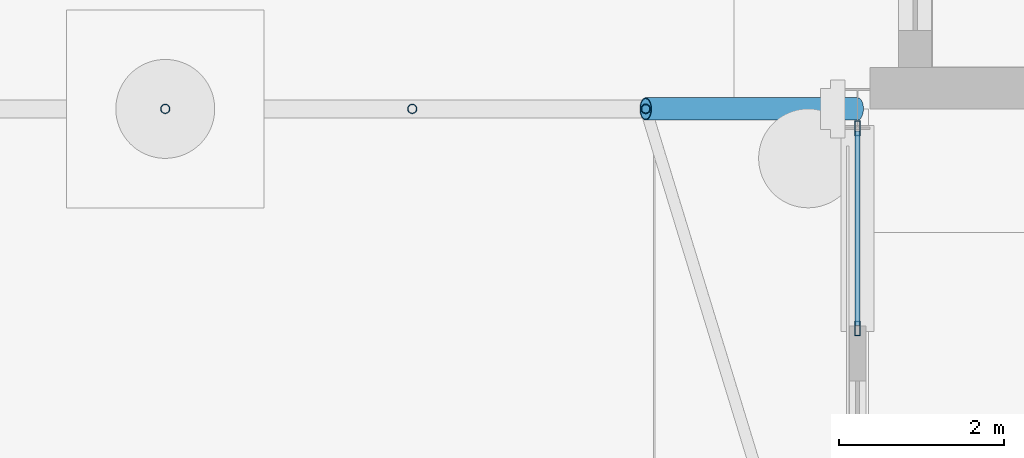
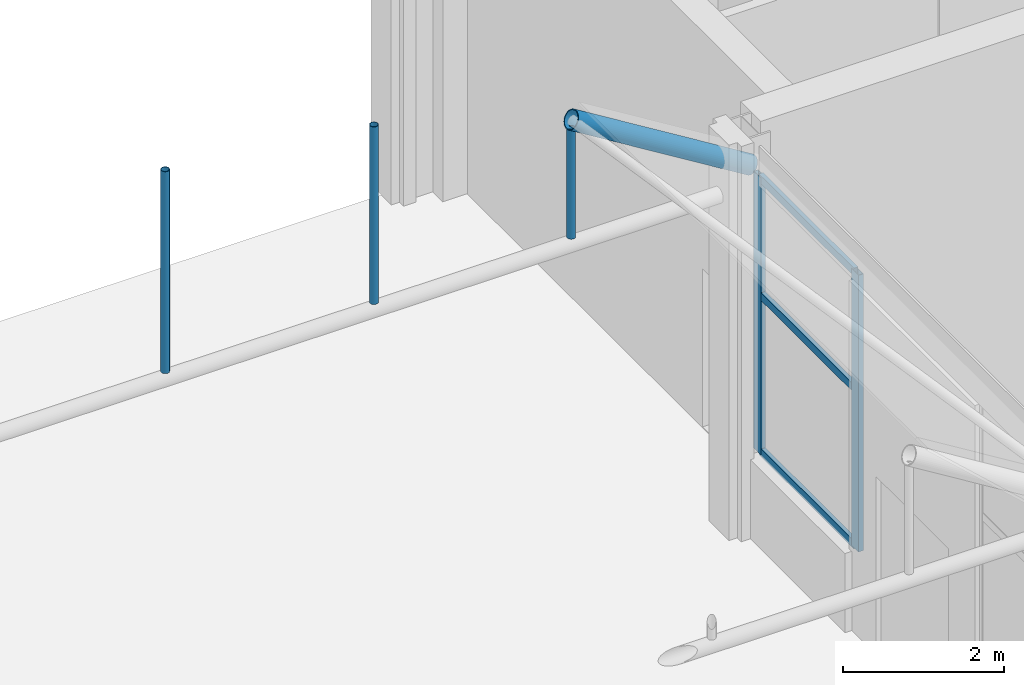
# One storey, part 162 of 212: 9 members, 1 element without a shape of its own.
"""IFC4 building model written with IfcOpenShell, lengths in metres."""

from ifc_helpers import new_model, si_unit, direction, frame, origin, origin_2d, place, context, subcontext, project, spatial, hollow_rectangle, hollow_circle, extrude, material, material_profile, profile_set, type_object, element, aggregate, save


model = new_model("IFC4")

# Units and contexts
model_context = context("Model", 3, precision=1e-05, world=origin(), true_north=direction((0.0, 1.0)))
body_context = subcontext(model_context, "Body", "Model", "MODEL_VIEW")
ifc_project = project(units=[si_unit("LENGTHUNIT", "METRE"), si_unit("AREAUNIT", "SQUARE_METRE"), si_unit("VOLUMEUNIT", "CUBIC_METRE"), si_unit("PLANEANGLEUNIT", "RADIAN"), si_unit("MASSUNIT", "GRAM", prefix="KILO")], contexts=[model_context])

# Site, building, storey
site_placement = place(None, origin())
site = spatial("IfcSite", under=ifc_project, at=site_placement, CompositionType="ELEMENT")
building_placement = place(site_placement, origin())
building = spatial("IfcBuilding", under=site, at=building_placement, Name="Catenary Quay Ferry Terminal", CompositionType="ELEMENT")
storey_placement = place(building_placement, origin())
storey = spatial("IfcBuildingStorey", under=building, at=storey_placement, Name="L00", CompositionType="ELEMENT", Elevation=0.0)

# Members
ifc_material_1 = material(Name="Steel S355", Category="steel")
ifc_material_profile_1 = material_profile(ifc_material_1, hollow_circle(Radius=0.05712890625, WallThickness=0.00634765625, at=origin_2d()), Name="CHS 114.3x6.3")
ifc_profile_set_1 = profile_set([ifc_material_profile_1], Name="Steel S355")
member_type_1 = type_object("IfcMemberType", Name="HG1 CHS 114.3x6.3", PredefinedType="POST", material=ifc_profile_set_1)
member_1_placement = place(storey_placement, frame((16.800048828125, 201.60009765625, 5.205078125), z_axis=(0.0, 0.0, 1.0), x_axis=(1.0, 0.0, 0.0)))
element("IfcMember", 1, at=member_1_placement, inside=storey, type_object=member_type_1, Name="Hanger FC-17-03", PredefinedType="POST", context=body_context, shape_type="SweptSolid", body=[
    extrude(hollow_circle(Radius=0.05712890625, WallThickness=0.00634765625, at=origin_2d()), origin(), (0.0, 0.0, 1.0), 3.06494140625),
])
member_2_placement = place(storey_placement, frame((19.797119140625, 201.60009765625, 5.205078125), z_axis=(0.0, 0.0, 1.0), x_axis=(1.0, 0.0, 0.0)))
element("IfcMember", 2, at=member_2_placement, inside=storey, type_object=member_type_1, Name="Hanger FC-17-04", PredefinedType="POST", context=body_context, shape_type="SweptSolid", body=[
    extrude(hollow_circle(Radius=0.05712890625, WallThickness=0.00634765625, at=origin_2d()), origin(), (0.0, 0.0, 1.0), 2.69580078125),
])
member_3_placement = place(storey_placement, frame((22.62890625, 201.60009765625, 5.205078125), z_axis=(0.0, 0.0, 1.0), x_axis=(1.0, 0.0, 0.0)))
element("IfcMember", 3, at=member_3_placement, inside=storey, type_object=member_type_1, Name="Hanger FC-17-05", PredefinedType="POST", context=body_context, shape_type="SweptSolid", body=[
    extrude(hollow_circle(Radius=0.05712890625, WallThickness=0.00634765625, at=origin_2d()), origin(), (0.0, 0.0, 1.0), 1.64892578125),
])

# Curtain wall, members
ifc_material_2 = material(Name="Aluminium and glass", Category="aluminium")
curtain_wall_type = type_object("IfcCurtainWallType", Name="CWW1", PredefinedType="NOTDEFINED", material=ifc_material_2)
curtain_wall_placement = place(storey_placement, origin())
curtain_wall = element("IfcCurtainWall", 4, at=curtain_wall_placement, inside=storey, type_object=curtain_wall_type, Name="Wing curtain wall CW112", PredefinedType="NOTDEFINED")
ifc_material_3 = material(Name="Aluminium", Category="aluminium")
ifc_material_profile_2 = material_profile(ifc_material_3, hollow_rectangle(XDim=0.070068359375, YDim=0.179931640625, WallThickness=0.006103515625, at=origin_2d()), Name="MU3")
ifc_profile_set_2 = profile_set([ifc_material_profile_2], Name="Aluminium")
member_type_2 = type_object("IfcMemberType", Name="MU3", PredefinedType="MULLION", material=ifc_profile_set_2)
member_4_placement = place(storey_placement, frame((25.199951171875, 198.93505859375, 1.199951171875), z_axis=(0.0, 0.0, 1.0), x_axis=(-1.0, 0.0, 0.0)))
member_4 = element("IfcMember", 5, at=member_4_placement, type_object=member_type_2, Name="CW112 mullion 1", PredefinedType="MULLION", context=body_context, shape_type="SweptSolid", body=[
    extrude(hollow_rectangle(XDim=0.070068359375, YDim=0.179931640625, WallThickness=0.006103515625, at=origin_2d()), origin(), (0.0, 0.0, 1.0), 4.199951171875),
])
member_5_placement = place(storey_placement, frame((25.199951171875, 201.364990234375, 1.199951171875), z_axis=(0.0, 0.0, 1.0), x_axis=(-1.0, 0.0, 0.0)))
member_5 = element("IfcMember", 6, at=member_5_placement, type_object=member_type_2, Name="CW112 mullion 2", PredefinedType="MULLION", context=body_context, shape_type="SweptSolid", body=[
    extrude(hollow_rectangle(XDim=0.070068359375, YDim=0.179931640625, WallThickness=0.006103515625, at=origin_2d()), origin(), (0.0, 0.0, 1.0), 4.199951171875),
])
ifc_material_4 = material(Name="Aluminium", Category="aluminium")
ifc_material_profile_3 = material_profile(ifc_material_4, hollow_rectangle(XDim=0.06005859375, YDim=0.1201171875, WallThickness=0.0048828125, at=origin_2d()), Name="TR3")
ifc_profile_set_3 = profile_set([ifc_material_profile_3], Name="Aluminium")
member_type_3 = type_object("IfcMemberType", Name="TR3", PredefinedType="USERDEFINED", material=ifc_profile_set_3)
member_6_placement = place(storey_placement, frame((25.199951171875, 198.969970703125, 1.22998046875), z_axis=(0.0, 1.0, 0.0), x_axis=(-1.0, 0.0, 0.0)))
member_6 = element("IfcMember", 7, at=member_6_placement, type_object=member_type_3, Name="CW112 transom 1.1", ObjectType="TRANSOM", PredefinedType="USERDEFINED", context=body_context, shape_type="SweptSolid", body=[
    extrude(hollow_rectangle(XDim=0.06005859375, YDim=0.1201171875, WallThickness=0.0048828125, at=origin_2d()), origin(), (0.0, 0.0, 1.0), 2.360107421875),
])
member_7_placement = place(storey_placement, frame((25.199951171875, 198.969970703125, 3.60009765625), z_axis=(0.0, 1.0, 0.0), x_axis=(-1.0, 0.0, 0.0)))
member_7 = element("IfcMember", 8, at=member_7_placement, type_object=member_type_3, Name="CW112 transom 1.2", ObjectType="TRANSOM", PredefinedType="USERDEFINED", context=body_context, shape_type="SweptSolid", body=[
    extrude(hollow_rectangle(XDim=0.06005859375, YDim=0.1201171875, WallThickness=0.0048828125, at=origin_2d()), origin(), (0.0, 0.0, 1.0), 2.360107421875),
])
member_8_placement = place(storey_placement, frame((25.199951171875, 198.969970703125, 5.3701171875), z_axis=(0.0, 1.0, 0.0), x_axis=(-1.0, 0.0, 0.0)))
member_8 = element("IfcMember", 9, at=member_8_placement, type_object=member_type_3, Name="CW112 transom 1.3", ObjectType="TRANSOM", PredefinedType="USERDEFINED", context=body_context, shape_type="SweptSolid", body=[
    extrude(hollow_rectangle(XDim=0.06005859375, YDim=0.1201171875, WallThickness=0.0048828125, at=origin_2d()), origin(), (0.0, 0.0, 1.0), 2.360107421875),
])
aggregate(curtain_wall, [member_4, member_5, member_6, member_7, member_8])

# Member
ifc_material_5 = material(Name="Steel S355", Category="steel")
ifc_material_profile_4 = material_profile(ifc_material_5, hollow_circle(Radius=0.136474609375, WallThickness=0.012451171875, at=origin_2d()), Name="CHS 273x12.5")
ifc_profile_set_4 = profile_set([ifc_material_profile_4], Name="Steel S355")
member_type_4 = type_object("IfcMemberType", Name="VR2 CHS 273x12.5", PredefinedType="RAFTER", material=ifc_profile_set_4)
member_9_placement = place(storey_placement, frame((22.62890625, 201.60009765625, 6.98388671875), z_axis=(0.851391726314, 0.0, -0.524530388408), x_axis=(0.0, 1.0, 0.0)))
element("IfcMember", 10, at=member_9_placement, inside=storey, type_object=member_type_4, Name="rib FC-17-06", PredefinedType="RAFTER", context=body_context, shape_type="SweptSolid", body=[
    extrude(hollow_circle(Radius=0.136474609375, WallThickness=0.012451171875, at=origin_2d()), origin(), (0.0, 0.0, 1.0), 3.019775390625),
])

save(model, "model.ifc")
